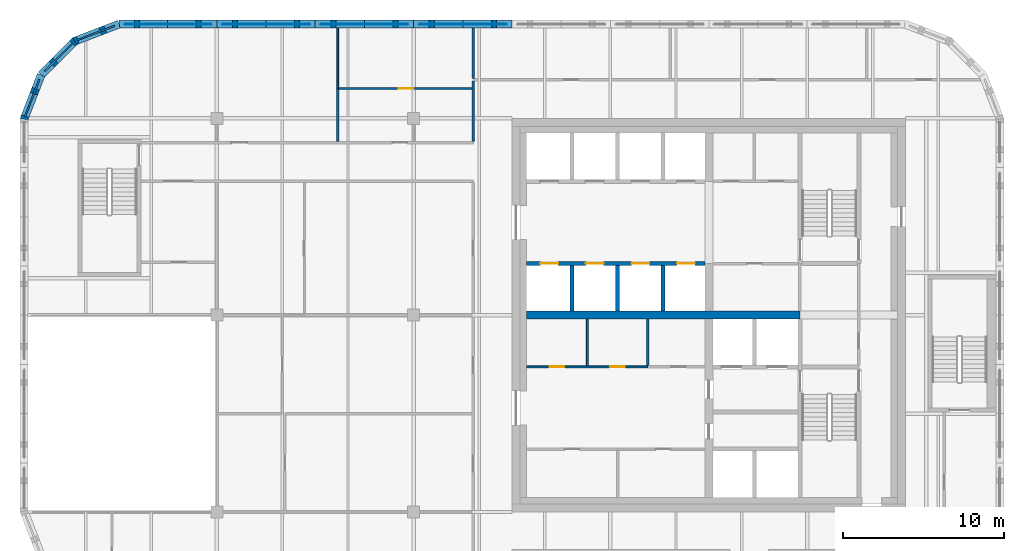
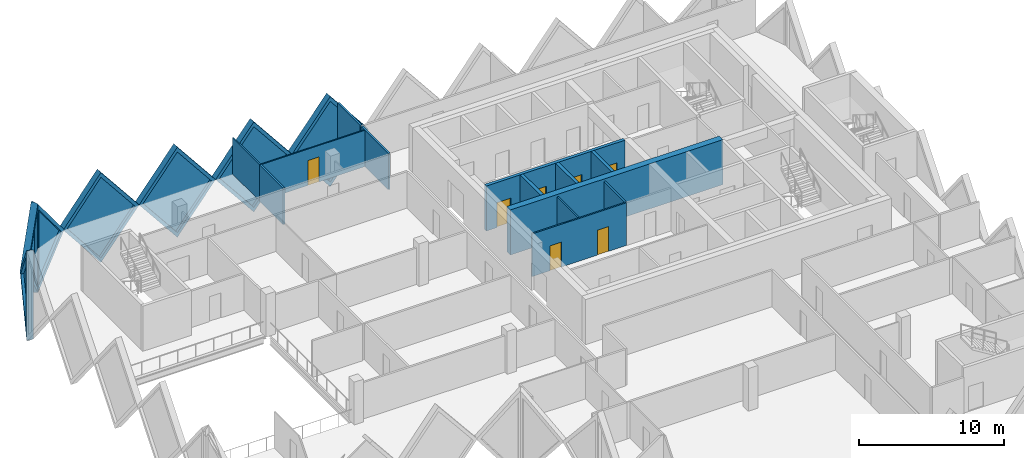
# One storey, part 8 of 12: 20 walls, 7 doors, 7 plates, 14 openings.
"""IFC4 building model written with IfcOpenShell, lengths in metres."""

from ifc_helpers import new_model, si_unit, direction, frame, frame_2d, origin, place, context, subcontext, project, spatial, polyline, rectangle, outline, extrude, faceted_brep, source, transform, mapped, material, layer, layer_set, type_object, element, fill, save


model = new_model("IFC4")

# Units and contexts
model_context = context("Model", 3, precision=1e-05, world=origin(), true_north=direction((0.0, 1.0)))
body_context = subcontext(model_context, "Body", "Model", "MODEL_VIEW")
ifc_project = project(units=[si_unit("LENGTHUNIT", "METRE"), si_unit("AREAUNIT", "SQUARE_METRE"), si_unit("VOLUMEUNIT", "CUBIC_METRE"), si_unit("PLANEANGLEUNIT", "RADIAN"), si_unit("MASSUNIT", "GRAM", prefix="KILO")], contexts=[model_context])

# Site, building, storey
site_placement = place(None, origin())
site = spatial("IfcSite", under=ifc_project, at=site_placement, CompositionType="ELEMENT")
building_placement = place(site_placement, origin())
building = spatial("IfcBuilding", under=site, at=building_placement, Name="Tessera Gate Towers", CompositionType="ELEMENT")
storey_placement = place(building_placement, frame((0.0, 0.0, 216.89990234375)))
storey = spatial("IfcBuildingStorey", under=building, at=storey_placement, Name="L54", CompositionType="ELEMENT", Elevation=216.89990234375)

# Wall, openings, doors
ifc_material_1 = material(Name="Concrete C40/50", Category="concrete")
ifc_layer_1 = layer(ifc_material_1, 0.25)
ifc_layer_set_1 = layer_set([ifc_layer_1], Name="CORE ENCLOSURE WALL 250")
wall_type_1 = type_object("IfcWallType", Name="CORE ENCLOSURE WALL 250", PredefinedType="SOLIDWALL", material=ifc_layer_set_1)
wall_1_placement = place(storey_placement, frame((31.39990234375, 39.800048828125, 0.0), z_axis=(0.0, 0.0, 1.0), x_axis=(1.0, 0.0, 0.0)))
wall_1 = element("IfcWall", 1, at=wall_1_placement, inside=storey, type_object=wall_type_1, Name="L54 shaft and stair enclosure wall", PredefinedType="SOLIDWALL", context=body_context, shape_type="SweptSolid", body=[
    extrude(rectangle(XDim=11.050048828125, YDim=0.25, at=frame_2d((5.52490234375, 0.0))), origin(), (0.0, 0.0, 1.0), 3.800048828125),
])
shared_shape_1 = source(origin(), body_context, "Body", "SweptSolid", [
    extrude(rectangle(XDim=1.10009765625, YDim=2.10009765625, at=frame_2d((0.550048828125, 1.050048828125))), frame((0.0, 0.135009765625, 0.0), z_axis=(0.0, -1.0, 0.0), x_axis=(1.0, 0.0, 0.0)), (0.0, 0.0, 1.0), 0.27001953125),
])
opening_1_placement = place(wall_1_placement, frame((0.862548828125, 0.0, 0.0)))
opening_1 = element("IfcOpeningElement", 2, at=opening_1_placement, cuts=wall_1, Name="Opening LD-HR1", PredefinedType="OPENING", context=body_context, shape_type="MappedRepresentation", body=[
    mapped(shared_shape_1, transform((0.0, 0.0, 0.0), scale=1.0)),
])
opening_2_placement = place(wall_1_placement, frame((3.6875, 0.0, 0.0)))
opening_2 = element("IfcOpeningElement", 3, at=opening_2_placement, cuts=wall_1, Name="Opening LD-HR2", PredefinedType="OPENING", context=body_context, shape_type="MappedRepresentation", body=[
    mapped(shared_shape_1, transform((0.0, 0.0, 0.0), scale=1.0)),
])
opening_3_placement = place(wall_1_placement, frame((6.512451171875, 0.0, 0.0)))
opening_3 = element("IfcOpeningElement", 4, at=opening_3_placement, cuts=wall_1, Name="Opening LD-HR3", PredefinedType="OPENING", context=body_context, shape_type="MappedRepresentation", body=[
    mapped(shared_shape_1, transform((0.0, 0.0, 0.0), scale=1.0)),
])
opening_4_placement = place(wall_1_placement, frame((9.33740234375, 0.0, 0.0)))
opening_4 = element("IfcOpeningElement", 5, at=opening_4_placement, cuts=wall_1, Name="Opening LD-HR4", PredefinedType="OPENING", context=body_context, shape_type="MappedRepresentation", body=[
    mapped(shared_shape_1, transform((0.0, 0.0, 0.0), scale=1.0)),
])
ifc_material_2 = material(Name="Stainless steel", Category="steel")
door_type_1 = type_object("IfcDoorType", Name="CORE DOOR LD 1100x2100", OperationType="DOUBLE_DOOR_SLIDING", PredefinedType="DOOR", material=ifc_material_2)
shared_shape_2 = source(origin(), body_context, "Body", "SweptSolid", [
    extrude(rectangle(XDim=1.10009765625, YDim=2.10009765625, at=frame_2d((0.550048828125, 1.050048828125))), frame((0.0, 0.02490234375, 0.0), z_axis=(0.0, -1.0, 0.0), x_axis=(1.0, 0.0, 0.0)), (0.0, 0.0, 1.0), 0.050048828125),
])
door_1_placement = place(opening_1_placement, origin())
door_1 = element("IfcDoor", 6, at=door_1_placement, inside=storey, type_object=door_type_1, Name="Landing door HR1 L54", OperationType="DOUBLE_DOOR_SLIDING", OverallHeight=2.10009765625, OverallWidth=1.10009765625, PredefinedType="DOOR", context=body_context, shape_type="MappedRepresentation", body=[
    mapped(shared_shape_2, transform((0.0, 0.0, 0.0), scale=1.0)),
])
fill(opening_1, door_1)
door_2_placement = place(opening_2_placement, origin())
door_2 = element("IfcDoor", 7, at=door_2_placement, inside=storey, type_object=door_type_1, Name="Landing door HR2 L54", OperationType="DOUBLE_DOOR_SLIDING", OverallHeight=2.10009765625, OverallWidth=1.10009765625, PredefinedType="DOOR", context=body_context, shape_type="MappedRepresentation", body=[
    mapped(shared_shape_2, transform((0.0, 0.0, 0.0), scale=1.0)),
])
fill(opening_2, door_2)
door_3_placement = place(opening_3_placement, origin())
door_3 = element("IfcDoor", 8, at=door_3_placement, inside=storey, type_object=door_type_1, Name="Landing door HR3 L54", OperationType="DOUBLE_DOOR_SLIDING", OverallHeight=2.10009765625, OverallWidth=1.10009765625, PredefinedType="DOOR", context=body_context, shape_type="MappedRepresentation", body=[
    mapped(shared_shape_2, transform((0.0, 0.0, 0.0), scale=1.0)),
])
fill(opening_3, door_3)
door_4_placement = place(opening_4_placement, origin())
door_4 = element("IfcDoor", 9, at=door_4_placement, inside=storey, type_object=door_type_1, Name="Landing door HR4 L54", OperationType="DOUBLE_DOOR_SLIDING", OverallHeight=2.10009765625, OverallWidth=1.10009765625, PredefinedType="DOOR", context=body_context, shape_type="MappedRepresentation", body=[
    mapped(shared_shape_2, transform((0.0, 0.0, 0.0), scale=1.0)),
])
fill(opening_4, door_4)

# Walls
for number, where, z_axis, x_axis, name in (
    (10, (34.22509765625, 36.85009765625, 0.0), (0.0, 0.0, 1.0), (0.0, 1.0, 0.0), "L54 shaft and stair enclosure wall"),
    (11, (37.050048828125, 36.85009765625, 0.0), (0.0, 0.0, 1.0), (0.0, 1.0, 0.0), "L54 shaft and stair enclosure wall"),
    (12, (39.875, 36.85009765625, 0.0), (0.0, 0.0, 1.0), (0.0, 1.0, 0.0), "L54 shaft and stair enclosure wall"),
):
    element("IfcWall", number, at=place(storey_placement, frame(where, z_axis=z_axis, x_axis=x_axis)), inside=storey, type_object=wall_type_1, Name=name, PredefinedType="SOLIDWALL", context=body_context, shape_type="SweptSolid", body=[
        extrude(rectangle(XDim=2.824951171875, YDim=0.25, at=frame_2d((1.41259765625, 0.0))), origin(), (0.0, 0.0, 1.0), 3.800048828125),
    ])

# Wall, openings, doors
ifc_material_3 = material(Name="Gypsum board on steel studs", Category="steel")
ifc_layer_2 = layer(ifc_material_3, 0.1201171875)
ifc_layer_set_2 = layer_set([ifc_layer_2], Name="CORE PARTITION 120")
wall_type_2 = type_object("IfcWallType", Name="CORE PARTITION 120", PredefinedType="PARTITIONING", material=ifc_layer_set_2)
wall_2_placement = place(storey_placement, frame((31.39990234375, 33.39990234375, 0.0), z_axis=(0.0, 0.0, 1.0), x_axis=(1.0, 0.0, 0.0)))
wall_2 = element("IfcWall", 13, at=wall_2_placement, inside=storey, type_object=wall_type_2, Name="L54 core partition", PredefinedType="PARTITIONING", context=body_context, shape_type="SweptSolid", body=[
    extrude(rectangle(XDim=7.525146484375, YDim=0.1201171875, at=frame_2d((3.7626953125, 0.0))), origin(), (0.0, 0.0, 1.0), 3.60009765625),
])
shared_shape_3 = source(origin(), body_context, "Body", "SweptSolid", [
    extrude(rectangle(XDim=0.89990234375, YDim=2.10009765625, at=frame_2d((0.449951171875, 1.050048828125))), frame((0.0, 0.070068359375, 0.0), z_axis=(0.0, -1.0, 0.0), x_axis=(1.0, 0.0, 0.0)), (0.0, 0.0, 1.0), 0.14013671875),
])
opening_5_placement = place(wall_2_placement, frame((1.4375, 0.0, 0.0)))
opening_5 = element("IfcOpeningElement", 14, at=opening_5_placement, cuts=wall_2, Name="Opening RD-T1-33-07", PredefinedType="OPENING", context=body_context, shape_type="MappedRepresentation", body=[
    mapped(shared_shape_3, transform((0.0, 0.0, 0.0), scale=1.0)),
])
opening_6_placement = place(wall_2_placement, frame((5.199951171875, 0.0, 0.0)))
opening_6 = element("IfcOpeningElement", 15, at=opening_6_placement, cuts=wall_2, Name="Opening RD-T1-33-08", PredefinedType="OPENING", context=body_context, shape_type="MappedRepresentation", body=[
    mapped(shared_shape_3, transform((0.0, 0.0, 0.0), scale=1.0)),
])
ifc_material_4 = material(Name="Hollow steel fire door", Category="steel")
door_type_2 = type_object("IfcDoorType", Name="CORE DOOR RD 900x2100", OperationType="NOTDEFINED", PredefinedType="DOOR", material=ifc_material_4)
shared_shape_4 = source(origin(), body_context, "Body", "SweptSolid", [
    extrude(rectangle(XDim=0.89990234375, YDim=2.10009765625, at=frame_2d((0.449951171875, 1.050048828125))), frame((0.0, 0.02490234375, 0.0), z_axis=(0.0, -1.0, 0.0), x_axis=(1.0, 0.0, 0.0)), (0.0, 0.0, 1.0), 0.050048828125),
])
door_5_placement = place(opening_5_placement, origin())
door_5 = element("IfcDoor", 16, at=door_5_placement, inside=storey, type_object=door_type_2, Name="Core room door", OperationType="SINGLE_SWING_LEFT", OverallHeight=2.10009765625, OverallWidth=0.89990234375, PredefinedType="DOOR", context=body_context, shape_type="MappedRepresentation", body=[
    mapped(shared_shape_4, transform((0.0, 0.0, 0.0), scale=1.0)),
])
fill(opening_5, door_5)
door_6_placement = place(opening_6_placement, origin())
door_6 = element("IfcDoor", 17, at=door_6_placement, inside=storey, type_object=door_type_2, Name="Core room door", OperationType="SINGLE_SWING_RIGHT", OverallHeight=2.10009765625, OverallWidth=0.89990234375, PredefinedType="DOOR", context=body_context, shape_type="MappedRepresentation", body=[
    mapped(shared_shape_4, transform((0.0, 0.0, 0.0), scale=1.0)),
])
fill(opening_6, door_6)

# Walls
wall_3_placement = place(storey_placement, frame((35.175048828125, 33.4599609375, 0.0), z_axis=(0.0, 0.0, 1.0), x_axis=(0.0, 1.0, 0.0)))
element("IfcWall", 18, at=wall_3_placement, inside=storey, type_object=wall_type_2, Name="L54 core partition", PredefinedType="PARTITIONING", context=body_context, shape_type="SweptSolid", body=[
    extrude(rectangle(XDim=2.89013671875, YDim=0.1201171875, at=frame_2d((1.445068359375, 0.0))), origin(), (0.0, 0.0, 1.0), 3.60009765625),
])
ifc_material_5 = material(Name="Concrete C50/60", Category="concrete")
ifc_layer_3 = layer(ifc_material_5, 0.5)
ifc_layer_set_3 = layer_set([ifc_layer_3], Name="CORE SPINE WALL 500 C50/60")
wall_type_3 = type_object("IfcWallType", Name="CORE SPINE WALL 500 C50/60", PredefinedType="SHEAR", material=ifc_layer_set_3)
wall_4_placement = place(storey_placement, frame((31.39990234375, 36.60009765625, 0.0), z_axis=(0.0, 0.0, 1.0), x_axis=(1.0, 0.0, 0.0)))
element("IfcWall", 19, at=wall_4_placement, inside=storey, type_object=wall_type_3, Name="Core wall spine L54", PredefinedType="SHEAR", context=body_context, shape_type="SweptSolid", body=[
    extrude(rectangle(XDim=16.9501953125, YDim=0.5, at=frame_2d((8.47509765625, 0.0))), origin(), (0.0, 0.0, 1.0), 3.800048828125),
])
ifc_material_6 = material(Name="Gypsum board on steel studs, mineral wool", Category="steel")
ifc_layer_4 = layer(ifc_material_6, 0.14990234375)
ifc_layer_set_4 = layer_set([ifc_layer_4], Name="CORRIDOR WALL 150")
wall_type_4 = type_object("IfcWallType", Name="CORRIDOR WALL 150", PredefinedType="PARTITIONING", material=ifc_layer_set_4)
wall_5_placement = place(storey_placement, frame((28.10009765625, 47.3759765625, 0.0), z_axis=(0.0, 0.0, 1.0), x_axis=(0.0, 1.0, 0.0)))
element("IfcWall", 20, at=wall_5_placement, inside=storey, type_object=wall_type_4, Name="T1-L54-PW-048", PredefinedType="PARTITIONING", context=body_context, shape_type="SweptSolid", body=[
    extrude(rectangle(XDim=3.748046875, YDim=0.14990234375, at=frame_2d((1.8740234375, 0.0))), origin(), (0.0, 0.0, 1.0), 3.067138671875),
])
ifc_material_7 = material(Name="Glass", Category="glass")
ifc_layer_5 = layer(ifc_material_7, 0.10009765625)
ifc_layer_set_5 = layer_set([ifc_layer_5], Name="GLAZED PARTITION 100")
wall_type_5 = type_object("IfcWallType", Name="GLAZED PARTITION 100", PredefinedType="PARTITIONING", material=ifc_layer_set_5)
wall_6_placement = place(storey_placement, frame((19.699951171875, 50.65087890625, 0.0), z_axis=(0.0, 0.0, 1.0), x_axis=(0.0, 1.0, 0.0)))
element("IfcWall", 21, at=wall_6_placement, inside=storey, type_object=wall_type_5, Name="T1-L54-PW-051", PredefinedType="PARTITIONING", context=body_context, shape_type="SweptSolid", body=[
    extrude(rectangle(XDim=3.7490234375, YDim=0.10009765625, at=frame_2d((1.87451171875, 0.0))), origin(), (0.0, 0.0, 1.0), 3.067138671875),
])

# Wall, opening, door
wall_7_placement = place(storey_placement, frame((19.77587890625, 50.64990234375, 0.0), z_axis=(0.0, 0.0, 1.0), x_axis=(1.0, 0.0, 0.0)))
wall_7 = element("IfcWall", 22, at=wall_7_placement, inside=storey, type_object=wall_type_5, Name="T1-L54-PW-052", PredefinedType="PARTITIONING", context=body_context, shape_type="SweptSolid", body=[
    extrude(rectangle(XDim=8.248046875, YDim=0.10009765625, at=frame_2d((4.1240234375, 0.0))), origin(), (0.0, 0.0, 1.0), 3.067138671875),
])
shared_shape_5 = source(origin(), body_context, "Body", "SweptSolid", [
    extrude(rectangle(XDim=0.89990234375, YDim=2.10009765625, at=frame_2d((0.449951171875, 1.050048828125))), frame((0.0, 0.06005859375, 0.0), z_axis=(0.0, -1.0, 0.0), x_axis=(1.0, 0.0, 0.0)), (0.0, 0.0, 1.0), 0.1201171875),
])
opening_7_placement = place(wall_7_placement, frame((3.699951171875, 0.0, 0.0)))
opening_7 = element("IfcOpeningElement", 23, at=opening_7_placement, cuts=wall_7, Name="Opening D690-A19-07", PredefinedType="OPENING", context=body_context, shape_type="MappedRepresentation", body=[
    mapped(shared_shape_5, transform((0.0, 0.0, 0.0), scale=1.0)),
])
ifc_material_8 = material(Name="Glass in aluminium frame", Category="aluminium")
door_type_3 = type_object("IfcDoorType", Name="GLAZED DOOR 900 NOT RATED", OperationType="NOTDEFINED", PredefinedType="DOOR", material=ifc_material_8)
door_7_placement = place(opening_7_placement, origin())
door_7 = element("IfcDoor", 24, at=door_7_placement, inside=storey, type_object=door_type_3, Name="T1-L54-PD-019", OperationType="SINGLE_SWING_LEFT", OverallHeight=2.10009765625, OverallWidth=0.89990234375, PredefinedType="DOOR", context=body_context, shape_type="MappedRepresentation", body=[
    mapped(shared_shape_4, transform((0.0, 0.0, 0.0), scale=1.0)),
])
fill(opening_7, door_7)

# Walls
ifc_material_9 = material(Name="Gypsum board on steel studs", Category="steel")
ifc_layer_6 = layer(ifc_material_9, 0.14990234375)
ifc_layer_set_6 = layer_set([ifc_layer_6], Name="SERVICE ROOM WALL 150")
wall_type_6 = type_object("IfcWallType", Name="SERVICE ROOM WALL 150", PredefinedType="PARTITIONING", material=ifc_layer_set_6)
wall_8_placement = place(storey_placement, frame((38.925048828125, 33.47509765625, 0.0), z_axis=(0.0, 0.0, 1.0), x_axis=(0.0, 1.0, 0.0)))
element("IfcWall", 25, at=wall_8_placement, inside=storey, type_object=wall_type_6, Name="L54 service room wall", PredefinedType="PARTITIONING", context=body_context, shape_type="SweptSolid", body=[
    extrude(rectangle(XDim=2.875, YDim=0.14990234375, at=frame_2d((1.4375, 0.0))), origin(), (0.0, 0.0, 1.0), 3.60009765625),
])
ifc_material_10 = material(Name="Gypsum board on steel studs, mineral wool", Category="steel")
ifc_layer_7 = layer(ifc_material_10, 0.14990234375)
ifc_layer_set_7 = layer_set([ifc_layer_7], Name="TENANCY WALL 150")
wall_type_7 = type_object("IfcWallType", Name="TENANCY WALL 150", PredefinedType="PARTITIONING", material=ifc_layer_set_7)
wall_9_placement = place(storey_placement, frame((19.699951171875, 47.3759765625, 0.0), z_axis=(0.0, 0.0, 1.0), x_axis=(0.0, 1.0, 0.0)))
element("IfcWall", 26, at=wall_9_placement, inside=storey, type_object=wall_type_7, Name="T1-L54-PW-047", PredefinedType="PARTITIONING", context=body_context, shape_type="SweptSolid", body=[
    extrude(rectangle(XDim=3.27392578125, YDim=0.14990234375, at=frame_2d((1.636962890625, 0.0))), origin(), (0.0, 0.0, 1.0), 3.067138671875),
])
wall_10_placement = place(storey_placement, frame((28.10009765625, 51.27587890625, 0.0), z_axis=(0.0, 0.0, 1.0), x_axis=(0.0, 1.0, 0.0)))
element("IfcWall", 27, at=wall_10_placement, inside=storey, type_object=wall_type_7, Name="T1-L54-PW-054", PredefinedType="PARTITIONING", context=body_context, shape_type="SweptSolid", body=[
    extrude(rectangle(XDim=3.1240234375, YDim=0.14990234375, at=frame_2d((1.56201171875, 0.0))), origin(), (0.0, 0.0, 1.0), 3.067138671875),
])

# Wall, opening, plate
ifc_material_11 = material(Name="Precast concrete C60/75 white", Category="concrete")
ifc_layer_8 = layer(ifc_material_11, 0.5)
ifc_layer_set_8 = layer_set([ifc_layer_8], Name="TS3 corner tessera")
wall_type_8 = type_object("IfcWallType", Name="TS3 corner tessera", PredefinedType="SOLIDWALL", material=ifc_layer_set_8)
shared_shape_6 = source(origin(), body_context, "Body", "Brep", [
    faceted_brep([(2.950439453125, -0.25, 0.0), (2.9970703125, -0.25, 0.05908203125), (2.9970703125, -0.25, 7.540771484375), (2.950439453125, -0.25, 7.599853515625), (0.0, -0.25, 3.7998046875), (0.052978515625, 0.25, 3.867919921875), (2.904052734375, 0.25, 7.5400390625), (2.904052734375, 0.25, 0.059814453125), (0.052978515625, 0.25, 3.731689453125), (2.950439453125, 0.00048828125, 0.0), (2.950439453125, 0.00048828125, 7.599853515625), (0.0, 0.0, 3.7998046875)], [[[0, 1, 2, 3, 4]], [[5, 6, 7, 8]], [[1, 0, 9]], [[10, 3, 2]], [[6, 5, 11, 4, 3, 10]], [[8, 7, 9, 0, 4, 11]], [[8, 11, 5]], [[1, 9, 7, 6, 10, 2]]]),
])
wall_11_placement = place(storey_placement, frame((1.31201171875, 51.50634765625, -3.7998046875), z_axis=(0.0, 0.0, 1.0), x_axis=(-0.359944998003, -0.932973525033, 0.0)))
wall_11 = element("IfcWall", 28, at=wall_11_placement, inside=storey, type_object=wall_type_8, Name="Precast corner tessera T1 TS3-1259", PredefinedType="SOLIDWALL", context=body_context, shape_type="MappedRepresentation", body=[
    mapped(shared_shape_6, transform((0.0, 0.0, 0.0), scale=1.0)),
])
shared_shape_7 = source(origin(), body_context, "Body", "SweptSolid", [
    extrude(outline(polyline([(2.75048828125, 6.9345703125), (0.31640625, 3.7998046875), (2.75048828125, 0.6650390625), (2.75048828125, 6.9345703125)])), frame((0.0, 0.260009765625, 0.0), z_axis=(0.0, -1.0, 0.0), x_axis=(1.0, 0.0, 0.0)), (0.0, 0.0, 1.0), 0.52001953125),
])
opening_8_placement = place(wall_11_placement, origin())
opening_8 = element("IfcOpeningElement", 29, at=opening_8_placement, cuts=wall_11, Name="Opening T1-PL2-1955", PredefinedType="OPENING", context=body_context, shape_type="MappedRepresentation", body=[
    mapped(shared_shape_7, transform((0.0, 0.0, 0.0), scale=1.0)),
])
ifc_material_12 = material(Name="Low-e laminated glass", Category="glass")
ifc_layer_9 = layer(ifc_material_12, 0.06005859375)
ifc_layer_set_9 = layer_set([ifc_layer_9], Name="PL2 rhombic pane")
plate_type = type_object("IfcPlateType", Name="PL2 rhombic pane", PredefinedType="SHEET", material=ifc_layer_set_9)
shared_shape_8 = source(origin(), body_context, "Body", "SweptSolid", [
    extrude(outline(polyline([(2.75048828125, 6.9345703125), (0.31640625, 3.7998046875), (2.75048828125, 0.6650390625), (2.75048828125, 6.9345703125)])), frame((0.0, 0.030029296875, 0.0), z_axis=(0.0, -1.0, 0.0), x_axis=(1.0, 0.0, 0.0)), (0.0, 0.0, 1.0), 0.06005859375),
])
plate_1_placement = place(opening_8_placement, origin())
plate_1 = element("IfcPlate", 30, at=plate_1_placement, inside=storey, type_object=plate_type, Name="Glass pane T1 PL2-1955", PredefinedType="SHEET", context=body_context, shape_type="MappedRepresentation", body=[
    mapped(shared_shape_8, transform((0.0, 0.0, 0.0), scale=1.0)),
])
fill(opening_8, plate_1)

ifc_material_13 = material(Name="Precast concrete C60/75 white", Category="concrete")
ifc_layer_10 = layer(ifc_material_13, 0.5)
ifc_layer_set_10 = layer_set([ifc_layer_10], Name="TS1 tessera")
wall_type_9 = type_object("IfcWallType", Name="TS1 tessera", PredefinedType="SOLIDWALL", material=ifc_layer_set_10)
shared_shape_9 = source(origin(), body_context, "Body", "Brep", [
    faceted_brep([(3.050048828125, -0.25, 0.0), (6.099853515625, -0.25, 3.799560546875), (6.099853515625, -0.25, 3.800048828125), (3.050048828125, -0.25, 7.599853515625), (0.0, -0.25, 3.7998046875), (0.0, 0.25, 3.7998046875), (3.050048828125, 0.25, 7.599853515625), (6.099853515625, 0.25, 3.800048828125), (6.099853515625, 0.25, 3.799560546875), (3.050048828125, 0.25, 0.0)], [[[0, 1, 2, 3, 4]], [[5, 6, 7, 8, 9]], [[9, 8, 1, 0]], [[7, 6, 3, 2]], [[6, 5, 4, 3]], [[5, 9, 0, 4]], [[1, 8, 7, 2]]]),
])
wall_12_placement = place(storey_placement, frame((24.39990234375, 54.64990234375, -3.7998046875), z_axis=(0.0, 0.0, 1.0), x_axis=(-1.0, 0.0, 0.0)))
wall_12 = element("IfcWall", 31, at=wall_12_placement, inside=storey, type_object=wall_type_9, Name="Precast tessera T1 TS1-0958", PredefinedType="SOLIDWALL", context=body_context, shape_type="MappedRepresentation", body=[
    mapped(shared_shape_9, transform((0.0, 0.0, 0.0), scale=1.0)),
])
shared_shape_10 = source(origin(), body_context, "Body", "SweptSolid", [
    extrude(outline(polyline([(3.050048828125, 0.3994140625), (5.779541015625, 3.7998046875), (3.050048828125, 7.200439453125), (0.320556640625, 3.7998046875), (3.050048828125, 0.3994140625)])), frame((0.0, 0.260009765625, 0.0), z_axis=(0.0, -1.0, 0.0), x_axis=(1.0, 0.0, 0.0)), (0.0, 0.0, 1.0), 0.52001953125),
])
opening_9_placement = place(wall_12_placement, origin())
opening_9 = element("IfcOpeningElement", 32, at=opening_9_placement, cuts=wall_12, Name="Opening T1-PL2-1950", PredefinedType="OPENING", context=body_context, shape_type="MappedRepresentation", body=[
    mapped(shared_shape_10, transform((0.0, 0.0, 0.0), scale=1.0)),
])
shared_shape_11 = source(origin(), body_context, "Body", "SweptSolid", [
    extrude(outline(polyline([(3.050048828125, 0.3994140625), (5.779541015625, 3.7998046875), (3.050048828125, 7.200439453125), (0.320556640625, 3.7998046875), (3.050048828125, 0.3994140625)])), frame((0.0, 0.030029296875, 0.0), z_axis=(0.0, -1.0, 0.0), x_axis=(1.0, 0.0, 0.0)), (0.0, 0.0, 1.0), 0.06005859375),
])
plate_2_placement = place(opening_9_placement, origin())
plate_2 = element("IfcPlate", 33, at=plate_2_placement, inside=storey, type_object=plate_type, Name="Glass pane T1 PL2-1950", PredefinedType="SHEET", context=body_context, shape_type="MappedRepresentation", body=[
    mapped(shared_shape_11, transform((0.0, 0.0, 0.0), scale=1.0)),
])
fill(opening_9, plate_2)

shared_shape_12 = source(origin(), body_context, "Body", "SweptSolid", [
    extrude(outline(polyline([(3.050048828125, 0.0), (6.10009765625, 3.7998046875), (3.050048828125, 7.599853515625), (0.0, 3.7998046875), (3.050048828125, 0.0)])), frame((0.0, 0.25, 0.0), z_axis=(0.0, -1.0, 0.0), x_axis=(1.0, 0.0, 0.0)), (0.0, 0.0, 1.0), 0.5),
])
wall_13_placement = place(storey_placement, frame((30.5, 54.64990234375, -3.7998046875), z_axis=(0.0, 0.0, 1.0), x_axis=(-1.0, 0.0, 0.0)))
wall_13 = element("IfcWall", 34, at=wall_13_placement, inside=storey, type_object=wall_type_9, Name="Precast tessera T1 TS1-0957", PredefinedType="SOLIDWALL", context=body_context, shape_type="MappedRepresentation", body=[
    mapped(shared_shape_12, transform((0.0, 0.0, 0.0), scale=1.0)),
])
opening_10_placement = place(wall_13_placement, origin())
opening_10 = element("IfcOpeningElement", 35, at=opening_10_placement, cuts=wall_13, Name="Opening T1-PL2-1949", PredefinedType="OPENING", context=body_context, shape_type="MappedRepresentation", body=[
    mapped(shared_shape_10, transform((0.0, 0.0, 0.0), scale=1.0)),
])
plate_3_placement = place(opening_10_placement, origin())
plate_3 = element("IfcPlate", 36, at=plate_3_placement, inside=storey, type_object=plate_type, Name="Glass pane T1 PL2-1949", PredefinedType="SHEET", context=body_context, shape_type="MappedRepresentation", body=[
    mapped(shared_shape_11, transform((0.0, 0.0, 0.0), scale=1.0)),
])
fill(opening_10, plate_3)

wall_14_placement = place(storey_placement, frame((18.300048828125, 54.64990234375, -3.7998046875), z_axis=(0.0, 0.0, 1.0), x_axis=(-1.0, 0.0, 0.0)))
wall_14 = element("IfcWall", 37, at=wall_14_placement, inside=storey, type_object=wall_type_9, Name="Precast tessera T1 TS1-0959", PredefinedType="SOLIDWALL", context=body_context, shape_type="MappedRepresentation", body=[
    mapped(shared_shape_12, transform((0.0, 0.0, 0.0), scale=1.0)),
])
opening_11_placement = place(wall_14_placement, origin())
opening_11 = element("IfcOpeningElement", 38, at=opening_11_placement, cuts=wall_14, Name="Opening T1-PL2-1951", PredefinedType="OPENING", context=body_context, shape_type="MappedRepresentation", body=[
    mapped(shared_shape_10, transform((0.0, 0.0, 0.0), scale=1.0)),
])
plate_4_placement = place(opening_11_placement, origin())
plate_4 = element("IfcPlate", 39, at=plate_4_placement, inside=storey, type_object=plate_type, Name="Glass pane T1 PL2-1951", PredefinedType="SHEET", context=body_context, shape_type="MappedRepresentation", body=[
    mapped(shared_shape_11, transform((0.0, 0.0, 0.0), scale=1.0)),
])
fill(opening_11, plate_4)

shared_shape_13 = source(origin(), body_context, "Body", "Brep", [
    faceted_brep([(3.050048828125, -0.25, 0.0), (6.053466796875, -0.25, 3.7998046875), (3.050048828125, -0.25, 7.599853515625), (0.0, -0.25, 3.7998046875), (0.0, 0.25, 3.7998046875), (3.050048828125, 0.25, 7.599853515625), (6.0068359375, 0.25, 3.858642578125), (6.0068359375, 0.25, 3.740966796875), (3.050048828125, 0.25, 0.0), (6.053466796875, 0.0, 3.7998046875)], [[[0, 1, 2, 3]], [[4, 5, 6, 7, 8]], [[8, 7, 9, 1, 0]], [[6, 5, 2, 1, 9]], [[5, 4, 3, 2]], [[4, 8, 0, 3]], [[9, 7, 6]]]),
])
wall_15_placement = place(storey_placement, frame((12.199951171875, 54.64990234375, -3.7998046875), z_axis=(0.0, 0.0, 1.0), x_axis=(-1.0, 0.0, 0.0)))
wall_15 = element("IfcWall", 40, at=wall_15_placement, inside=storey, type_object=wall_type_9, Name="Precast tessera T1 TS1-0960", PredefinedType="SOLIDWALL", context=body_context, shape_type="MappedRepresentation", body=[
    mapped(shared_shape_13, transform((0.0, 0.0, 0.0), scale=1.0)),
])
shared_shape_14 = source(origin(), body_context, "Body", "SweptSolid", [
    extrude(outline(polyline([(3.048583984375, 0.401123046875), (5.73486328125, 3.7998046875), (3.048583984375, 7.19873046875), (0.320556640625, 3.7998046875), (3.048583984375, 0.401123046875)])), frame((0.0, 0.260009765625, 0.0), z_axis=(0.0, -1.0, 0.0), x_axis=(1.0, 0.0, 0.0)), (0.0, 0.0, 1.0), 0.52001953125),
])
opening_12_placement = place(wall_15_placement, origin())
opening_12 = element("IfcOpeningElement", 41, at=opening_12_placement, cuts=wall_15, Name="Opening T1-PL2-1952", PredefinedType="OPENING", context=body_context, shape_type="MappedRepresentation", body=[
    mapped(shared_shape_14, transform((0.0, 0.0, 0.0), scale=1.0)),
])
shared_shape_15 = source(origin(), body_context, "Body", "SweptSolid", [
    extrude(outline(polyline([(3.048583984375, 0.401123046875), (5.73486328125, 3.7998046875), (3.048583984375, 7.19873046875), (0.320556640625, 3.7998046875), (3.048583984375, 0.401123046875)])), frame((0.0, 0.030029296875, 0.0), z_axis=(0.0, -1.0, 0.0), x_axis=(1.0, 0.0, 0.0)), (0.0, 0.0, 1.0), 0.06005859375),
])
plate_5_placement = place(opening_12_placement, origin())
plate_5 = element("IfcPlate", 42, at=plate_5_placement, inside=storey, type_object=plate_type, Name="Glass pane T1 PL2-1952", PredefinedType="SHEET", context=body_context, shape_type="MappedRepresentation", body=[
    mapped(shared_shape_15, transform((0.0, 0.0, 0.0), scale=1.0)),
])
fill(opening_12, plate_5)

shared_shape_16 = source(origin(), body_context, "Body", "Brep", [
    faceted_brep([(0.052978515625, -0.25, 0.0), (2.9970703125, -0.25, 3.7998046875), (0.052978515625, -0.25, 7.599853515625), (0.0, -0.25, 7.53173828125), (0.0, -0.25, 0.068115234375), (0.10595703125, 0.25, 7.531494140625), (2.944091796875, 0.25, 3.867919921875), (2.944091796875, 0.25, 3.731689453125), (0.10595703125, 0.25, 0.068359375), (2.9970703125, 0.000244140625, 3.7998046875), (0.052978515625, 0.0, 0.0), (0.052978515625, 0.0, 7.599853515625)], [[[0, 1, 2, 3, 4]], [[5, 6, 7, 8]], [[8, 7, 9, 1, 0, 10]], [[6, 5, 11, 2, 1, 9]], [[3, 2, 11]], [[10, 0, 4]], [[8, 10, 4, 3, 11, 5]], [[9, 7, 6]]]),
])
wall_16_placement = place(storey_placement, frame((3.43115234375, 53.62548828125, -3.7998046875), z_axis=(0.0, 0.0, 1.0), x_axis=(-0.707106781187, -0.707106781187, 0.0)))
wall_16 = element("IfcWall", 43, at=wall_16_placement, inside=storey, type_object=wall_type_8, Name="Precast corner tessera T1 TS3-1258", PredefinedType="SOLIDWALL", context=body_context, shape_type="MappedRepresentation", body=[
    mapped(shared_shape_16, transform((0.0, 0.0, 0.0), scale=1.0)),
])
shared_shape_17 = source(origin(), body_context, "Body", "SweptSolid", [
    extrude(outline(polyline([(0.2529296875, 0.666259765625), (2.680908203125, 3.7998046875), (0.2529296875, 6.93359375), (0.2529296875, 0.666259765625)])), frame((0.0, 0.260009765625, 0.0), z_axis=(0.0, -1.0, 0.0), x_axis=(1.0, 0.0, 0.0)), (0.0, 0.0, 1.0), 0.52001953125),
])
opening_13_placement = place(wall_16_placement, origin())
opening_13 = element("IfcOpeningElement", 44, at=opening_13_placement, cuts=wall_16, Name="Opening T1-PL2-1954", PredefinedType="OPENING", context=body_context, shape_type="MappedRepresentation", body=[
    mapped(shared_shape_17, transform((0.0, 0.0, 0.0), scale=1.0)),
])
shared_shape_18 = source(origin(), body_context, "Body", "SweptSolid", [
    extrude(outline(polyline([(0.2529296875, 0.666259765625), (2.680908203125, 3.7998046875), (0.2529296875, 6.93359375), (0.2529296875, 0.666259765625)])), frame((0.0, 0.030029296875, 0.0), z_axis=(0.0, -1.0, 0.0), x_axis=(1.0, 0.0, 0.0)), (0.0, 0.0, 1.0), 0.06005859375),
])
plate_6_placement = place(opening_13_placement, origin())
plate_6 = element("IfcPlate", 45, at=plate_6_placement, inside=storey, type_object=plate_type, Name="Glass pane T1 PL2-1954", PredefinedType="SHEET", context=body_context, shape_type="MappedRepresentation", body=[
    mapped(shared_shape_18, transform((0.0, 0.0, 0.0), scale=1.0)),
])
fill(opening_13, plate_6)

shared_shape_19 = source(origin(), body_context, "Body", "Brep", [
    faceted_brep([(2.950439453125, -0.25, 0.0), (3.00341796875, -0.25, 0.068359375), (3.00341796875, -0.25, 7.531494140625), (2.950439453125, -0.25, 7.599853515625), (0.0, -0.25, 3.7998046875), (0.046630859375, 0.25, 3.85986328125), (2.897705078125, 0.25, 7.53173828125), (2.897705078125, 0.25, 0.068115234375), (0.046630859375, 0.25, 3.73974609375), (2.950439453125, 0.00048828125, 0.0), (2.950439453125, 0.00048828125, 7.599853515625), (0.0, 0.0, 3.7998046875)], [[[0, 1, 2, 3, 4]], [[5, 6, 7, 8]], [[1, 0, 9]], [[10, 3, 2]], [[6, 5, 11, 4, 3, 10]], [[8, 7, 9, 0, 4, 11]], [[8, 11, 5]], [[1, 9, 7, 6, 10, 2]]]),
])
wall_17_placement = place(storey_placement, frame((6.146484375, 54.64990234375, -3.7998046875), z_axis=(0.0, 0.0, 1.0), x_axis=(-0.932997369089, -0.359883188373, 0.0)))
wall_17 = element("IfcWall", 46, at=wall_17_placement, inside=storey, type_object=wall_type_8, Name="Precast corner tessera T1 TS3-1257", PredefinedType="SOLIDWALL", context=body_context, shape_type="MappedRepresentation", body=[
    mapped(shared_shape_19, transform((0.0, 0.0, 0.0), scale=1.0)),
])
opening_14_placement = place(wall_17_placement, origin())
opening_14 = element("IfcOpeningElement", 47, at=opening_14_placement, cuts=wall_17, Name="Opening T1-PL2-1953", PredefinedType="OPENING", context=body_context, shape_type="MappedRepresentation", body=[
    mapped(shared_shape_7, transform((0.0, 0.0, 0.0), scale=1.0)),
])
plate_7_placement = place(opening_14_placement, origin())
plate_7 = element("IfcPlate", 48, at=plate_7_placement, inside=storey, type_object=plate_type, Name="Glass pane T1 PL2-1953", PredefinedType="SHEET", context=body_context, shape_type="MappedRepresentation", body=[
    mapped(shared_shape_8, transform((0.0, 0.0, 0.0), scale=1.0)),
])
fill(opening_14, plate_7)

save(model, "model.ifc")
